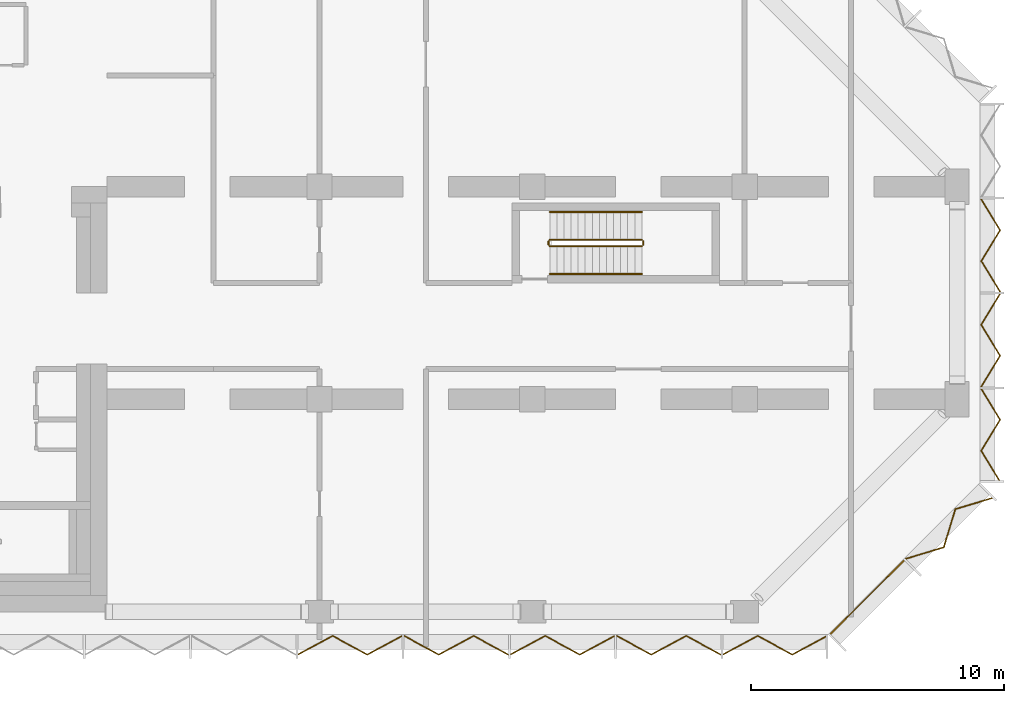
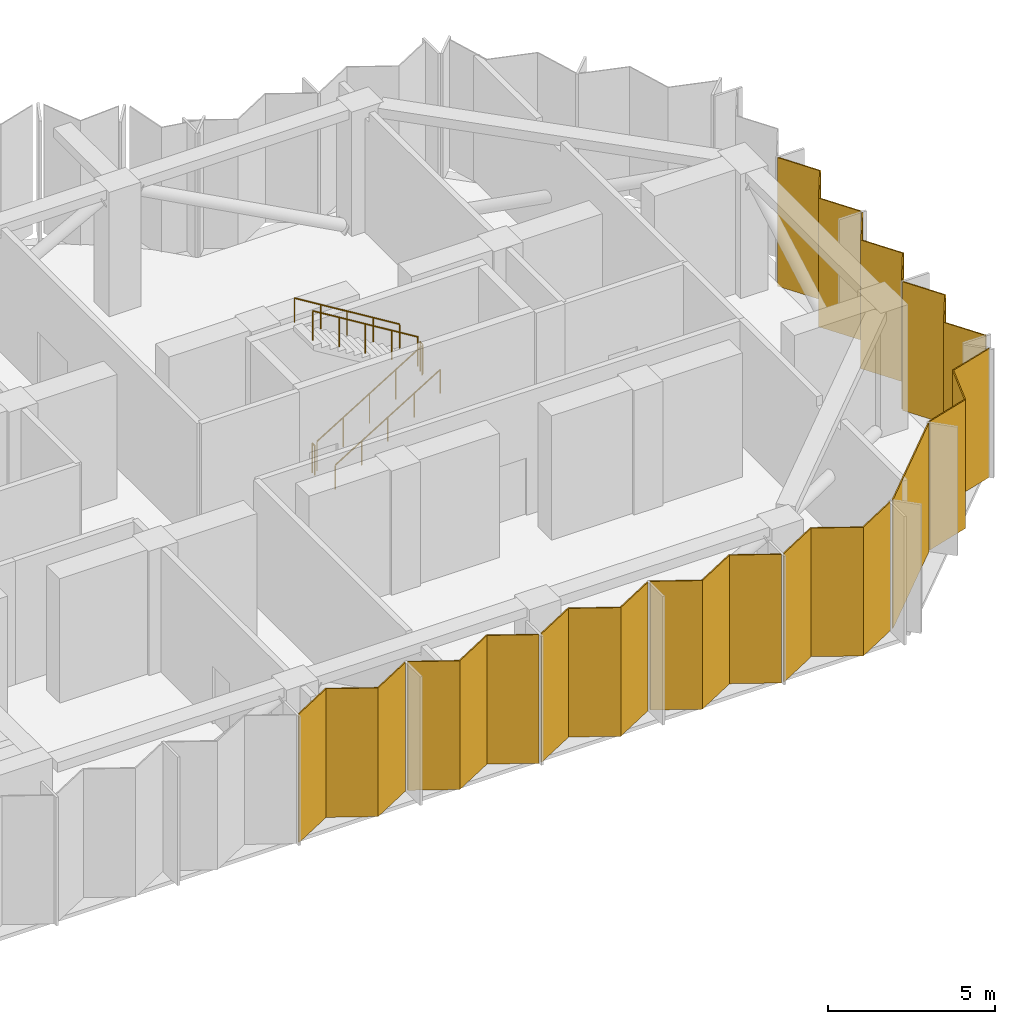
# One storey, part 12 of 13: 10 coverings, 6 railings, 3 elements without a shape of their own.
"""IFC4 building model written with IfcOpenShell, lengths in metres."""

from ifc_helpers import new_model, si_unit, direction, frame, origin, origin_2d, place, context, subcontext, project, spatial, polyline, circle, outline, extrude, material, layer, layer_set, type_object, element, aggregate, save


model = new_model("IFC4")

# Units and contexts
model_context = context("Model", 3, precision=1e-05, world=origin(), true_north=direction((0.0, 1.0)))
body_context = subcontext(model_context, "Body", "Model", "MODEL_VIEW")
ifc_project = project(units=[si_unit("LENGTHUNIT", "METRE"), si_unit("AREAUNIT", "SQUARE_METRE"), si_unit("VOLUMEUNIT", "CUBIC_METRE"), si_unit("PLANEANGLEUNIT", "RADIAN"), si_unit("MASSUNIT", "GRAM", prefix="KILO")], contexts=[model_context])

# Site, building, storey
site_placement = place(None, origin())
site = spatial("IfcSite", under=ifc_project, at=site_placement, CompositionType="ELEMENT")
building_placement = place(site_placement, origin())
building = spatial("IfcBuilding", under=site, at=building_placement, Name="Brevane Broadcast Tower", CompositionType="ELEMENT")
storey_placement = place(building_placement, frame((0.0, 0.0, 162.0)))
storey = spatial("IfcBuildingStorey", under=building, at=storey_placement, Name="L40", CompositionType="ELEMENT", Elevation=162.0)

# Curtain wall, coverings
ifc_material_1 = material(Name="Aluminium 6063-T6 bronze anodised", Category="aluminium")
curtain_wall_type = type_object("IfcCurtainWallType", Name="CW-3 curtain wall", PredefinedType="NOTDEFINED", material=ifc_material_1)
curtain_wall_1_placement = place(storey_placement, origin())
curtain_wall_1 = element("IfcCurtainWall", 1, at=curtain_wall_1_placement, inside=storey, type_object=curtain_wall_type, Name="CW-3 refuge louvre unit L40 south face", PredefinedType="NOTDEFINED")
ifc_material_2 = material(Name="Aluminium bronze anodised cladding", Category="aluminium")
ifc_layer = layer(ifc_material_2, 0.050048828125)
ifc_layer_set = layer_set([ifc_layer], Name="CW refuge spandrel 50")
covering_type = type_object("IfcCoveringType", Name="CW refuge spandrel 50", PredefinedType="CLADDING", material=ifc_layer_set)
covering_1_placement = place(storey_placement, frame((0.0, 0.0, -0.159912109375)))
covering_1 = element("IfcCovering", 2, at=covering_1_placement, type_object=covering_type, Name="Refuge cladding panel", PredefinedType="CLADDING", context=body_context, shape_type="SweptSolid", body=[
    extrude(outline(polyline([(32.739990234375, -1.671630859375), (32.739990234375, -1.717041015625), (34.11328125, -0.97265625), (35.48681640625, -1.717041015625), (36.860107421875, -0.97265625), (36.860107421875, -0.92724609375), (35.48681640625, -1.671630859375), (34.11328125, -0.92724609375), (32.739990234375, -1.671630859375)])), origin(), (0.0, 0.0, 1.0), 4.7099609375),
])
covering_2_placement = place(storey_placement, frame((0.0, 0.0, -0.159912109375)))
covering_2 = element("IfcCovering", 3, at=covering_2_placement, type_object=covering_type, Name="Refuge cladding panel", PredefinedType="CLADDING", context=body_context, shape_type="SweptSolid", body=[
    extrude(outline(polyline([(36.93994140625, -0.92724609375), (36.93994140625, -0.97265625), (38.313232421875, -1.717041015625), (39.686767578125, -0.97265625), (41.06005859375, -1.717041015625), (41.06005859375, -1.671630859375), (39.686767578125, -0.92724609375), (38.313232421875, -1.671630859375), (36.93994140625, -0.92724609375)])), origin(), (0.0, 0.0, 1.0), 4.7099609375),
])
covering_3_placement = place(storey_placement, frame((0.0, 0.0, -0.159912109375)))
covering_3 = element("IfcCovering", 4, at=covering_3_placement, type_object=covering_type, Name="Refuge cladding panel", PredefinedType="CLADDING", context=body_context, shape_type="SweptSolid", body=[
    extrude(outline(polyline([(41.139892578125, -1.671630859375), (41.139892578125, -1.717041015625), (42.51318359375, -0.97265625), (43.88671875, -1.717041015625), (45.260009765625, -0.97265625), (45.260009765625, -0.92724609375), (43.88671875, -1.671630859375), (42.51318359375, -0.92724609375), (41.139892578125, -1.671630859375)])), origin(), (0.0, 0.0, 1.0), 4.7099609375),
])
covering_4_placement = place(storey_placement, frame((0.0, 0.0, -0.159912109375)))
covering_4 = element("IfcCovering", 5, at=covering_4_placement, type_object=covering_type, Name="Refuge cladding panel", PredefinedType="CLADDING", context=body_context, shape_type="SweptSolid", body=[
    extrude(outline(polyline([(45.340087890625, -0.92724609375), (45.340087890625, -0.97265625), (46.71337890625, -1.717041015625), (48.086669921875, -0.97265625), (49.4599609375, -1.717041015625), (49.4599609375, -1.671630859375), (48.086669921875, -0.92724609375), (46.71337890625, -1.671630859375), (45.340087890625, -0.92724609375)])), origin(), (0.0, 0.0, 1.0), 4.7099609375),
])
covering_5_placement = place(storey_placement, frame((0.0, 0.0, -0.159912109375)))
covering_5 = element("IfcCovering", 6, at=covering_5_placement, type_object=covering_type, Name="Refuge cladding panel", PredefinedType="CLADDING", context=body_context, shape_type="SweptSolid", body=[
    extrude(outline(polyline([(49.5400390625, -1.671630859375), (49.5400390625, -1.717041015625), (50.913330078125, -0.97265625), (52.28662109375, -1.717041015625), (53.659912109375, -0.97265625), (53.659912109375, -0.92724609375), (52.28662109375, -1.671630859375), (50.913330078125, -0.92724609375), (49.5400390625, -1.671630859375)])), origin(), (0.0, 0.0, 1.0), 4.7099609375),
])
aggregate(curtain_wall_1, [covering_1, covering_2, covering_3, covering_4, covering_5])

curtain_wall_2_placement = place(storey_placement, origin())
curtain_wall_2 = element("IfcCurtainWall", 7, at=curtain_wall_2_placement, inside=storey, type_object=curtain_wall_type, Name="CW-3 refuge louvre unit L40 south-east chamfer", PredefinedType="NOTDEFINED")
covering_6_placement = place(storey_placement, frame((0.0, 0.0, -0.159912109375)))
covering_6 = element("IfcCovering", 8, at=covering_6_placement, type_object=covering_type, Name="Refuge cladding panel", PredefinedType="CLADDING", context=body_context, shape_type="SweptSolid", body=[
    extrude(outline(polyline([(53.74951171875, -0.892822265625), (56.69287109375, 2.050537109375), (56.72119140625, 2.022216796875), (53.77783203125, -0.921142578125), (53.74951171875, -0.892822265625)])), origin(), (0.0, 0.0, 1.0), 4.7099609375),
])
covering_7_placement = place(storey_placement, frame((0.0, 0.0, -0.159912109375)))
covering_7 = element("IfcCovering", 9, at=covering_7_placement, type_object=covering_type, Name="Refuge cladding panel", PredefinedType="CLADDING", context=body_context, shape_type="SweptSolid", body=[
    extrude(outline(polyline([(56.74755859375, 2.10888671875), (56.77978515625, 2.076904296875), (58.287109375, 2.53173828125), (58.741943359375, 4.039306640625), (60.24951171875, 4.493896484375), (60.21728515625, 4.52587890625), (58.7099609375, 4.0712890625), (58.255126953125, 2.563720703125), (56.74755859375, 2.10888671875)])), origin(), (0.0, 0.0, 1.0), 4.7099609375),
])
aggregate(curtain_wall_2, [covering_6, covering_7])

curtain_wall_3_placement = place(storey_placement, origin())
curtain_wall_3 = element("IfcCurtainWall", 10, at=curtain_wall_3_placement, inside=storey, type_object=curtain_wall_type, Name="CW-3 refuge louvre unit L40 east end", PredefinedType="NOTDEFINED")
covering_8_placement = place(storey_placement, frame((0.0, 0.0, -0.159912109375)))
covering_8 = element("IfcCovering", 11, at=covering_8_placement, type_object=covering_type, Name="Refuge cladding panel", PredefinedType="CLADDING", context=body_context, shape_type="SweptSolid", body=[
    extrude(outline(polyline([(60.470947265625, 5.139892578125), (60.517822265625, 5.139892578125), (59.7734375, 6.36328125), (60.517822265625, 7.586669921875), (59.7734375, 8.81005859375), (59.7265625, 8.81005859375), (60.470947265625, 7.586669921875), (59.7265625, 6.36328125), (60.470947265625, 5.139892578125)])), origin(), (0.0, 0.0, 1.0), 4.7099609375),
])
covering_9_placement = place(storey_placement, frame((0.0, 0.0, -0.159912109375)))
covering_9 = element("IfcCovering", 12, at=covering_9_placement, type_object=covering_type, Name="Refuge cladding panel", PredefinedType="CLADDING", context=body_context, shape_type="SweptSolid", body=[
    extrude(outline(polyline([(59.7265625, 8.889892578125), (59.7734375, 8.889892578125), (60.517822265625, 10.11328125), (59.7734375, 11.336669921875), (60.517822265625, 12.56005859375), (60.470947265625, 12.56005859375), (59.7265625, 11.336669921875), (60.470947265625, 10.11328125), (59.7265625, 8.889892578125)])), origin(), (0.0, 0.0, 1.0), 4.7099609375),
])
covering_10_placement = place(storey_placement, frame((0.0, 0.0, -0.159912109375)))
covering_10 = element("IfcCovering", 13, at=covering_10_placement, type_object=covering_type, Name="Refuge cladding panel", PredefinedType="CLADDING", context=body_context, shape_type="SweptSolid", body=[
    extrude(outline(polyline([(60.470947265625, 12.639892578125), (60.517822265625, 12.639892578125), (59.7734375, 13.86328125), (60.517822265625, 15.086669921875), (59.7734375, 16.31005859375), (59.7265625, 16.31005859375), (60.470947265625, 15.086669921875), (59.7265625, 13.86328125), (60.470947265625, 12.639892578125)])), origin(), (0.0, 0.0, 1.0), 4.7099609375),
])
aggregate(curtain_wall_3, [covering_8, covering_9, covering_10])

# Railings
ifc_material_3 = material(Name="Steel S355", Category="steel")
railing_type_1 = type_object("IfcRailingType", Name="Exit stair guard", PredefinedType="GUARDRAIL", material=ifc_material_3)
railing_1_placement = place(storey_placement, frame((42.699951171875, 14.449951171875, 0.17138671875)))
element("IfcRailing", 14, at=railing_1_placement, inside=storey, type_object=railing_type_1, Name="L40 ST-4 stair guard 1", PredefinedType="GUARDRAIL", context=body_context, shape_type="SweptSolid", body=[
    extrude(circle(Radius=0.02392578125, at=origin_2d()), frame((0.0, 0.0, 1.076171875), z_axis=(0.852865859571, 0.0, 0.52213008492), x_axis=(0.0, 1.0, 0.0)), (0.0, 0.0, 1.0), 4.26806640625),
    extrude(circle(Radius=0.02099609375, at=origin_2d()), origin(), (0.0, 0.0, 1.0), 1.052001953125),
    extrude(circle(Radius=0.02099609375, at=origin_2d()), frame((0.91015625, 0.0, 0.55712890625)), (0.0, 0.0, 1.0), 1.052001953125),
    extrude(circle(Radius=0.02099609375, at=origin_2d()), frame((1.820068359375, 0.0, 1.1142578125)), (0.0, 0.0, 1.0), 1.052001953125),
    extrude(circle(Radius=0.02099609375, at=origin_2d()), frame((2.72998046875, 0.0, 1.67138671875)), (0.0, 0.0, 1.0), 1.052001953125),
    extrude(circle(Radius=0.02099609375, at=origin_2d()), frame((3.64013671875, 0.0, 2.228515625)), (0.0, 0.0, 1.0), 1.052001953125),
])
railing_2_placement = place(storey_placement, frame((46.389892578125, 14.5, 2.39990234375)))
element("IfcRailing", 15, at=railing_2_placement, inside=storey, type_object=railing_type_1, Name="L40 ST-4 stair guard 2", PredefinedType="GUARDRAIL", context=body_context, shape_type="SweptSolid", body=[
    extrude(circle(Radius=0.02392578125, at=origin_2d()), frame((0.0, 0.0, 1.076171875), z_axis=(0.0, 1.0, 0.0), x_axis=(-1.0, 0.0, 0.0)), (0.0, 0.0, 1.0), 0.14990234375),
    extrude(circle(Radius=0.02099609375, at=origin_2d()), origin(), (0.0, 0.0, 1.0), 1.052001953125),
    extrude(circle(Radius=0.02099609375, at=origin_2d()), frame((0.0, 0.14990234375, 0.0)), (0.0, 0.0, 1.0), 1.052001953125),
])
railing_3_placement = place(storey_placement, frame((46.340087890625, 14.699951171875, 2.571533203125)))
element("IfcRailing", 16, at=railing_3_placement, inside=storey, type_object=railing_type_1, Name="L40 ST-4 stair guard 3", PredefinedType="GUARDRAIL", context=body_context, shape_type="SweptSolid", body=[
    extrude(circle(Radius=0.02392578125, at=origin_2d()), frame((0.0, 0.0, 1.076171875), z_axis=(-0.852865859571, 0.0, 0.52213008492), x_axis=(0.0, -1.0, 0.0)), (0.0, 0.0, 1.0), 4.26806640625),
    extrude(circle(Radius=0.02099609375, at=origin_2d()), origin(), (0.0, 0.0, 1.0), 1.052001953125),
    extrude(circle(Radius=0.02099609375, at=origin_2d()), frame((-0.91015625, 0.0, 0.55712890625)), (0.0, 0.0, 1.0), 1.052001953125),
    extrude(circle(Radius=0.02099609375, at=origin_2d()), frame((-1.820068359375, 0.0, 1.1142578125)), (0.0, 0.0, 1.0), 1.052001953125),
    extrude(circle(Radius=0.02099609375, at=origin_2d()), frame((-2.72998046875, 0.0, 1.67138671875)), (0.0, 0.0, 1.0), 1.052001953125),
    extrude(circle(Radius=0.02099609375, at=origin_2d()), frame((-3.64013671875, 0.0, 2.228515625)), (0.0, 0.0, 1.0), 1.052001953125),
])
railing_4_placement = place(storey_placement, frame((42.64990234375, 14.5, 0.0)))
element("IfcRailing", 17, at=railing_4_placement, inside=storey, type_object=railing_type_1, Name="L40 ST-4 stair guard 4", PredefinedType="GUARDRAIL", context=body_context, shape_type="SweptSolid", body=[
    extrude(circle(Radius=0.02392578125, at=origin_2d()), frame((0.0, 0.0, 1.076171875), z_axis=(0.0, 1.0, 0.0), x_axis=(-1.0, 0.0, 0.0)), (0.0, 0.0, 1.0), 0.14990234375),
    extrude(circle(Radius=0.02099609375, at=origin_2d()), origin(), (0.0, 0.0, 1.0), 1.052001953125),
    extrude(circle(Radius=0.02099609375, at=origin_2d()), frame((0.0, 0.14990234375, 0.0)), (0.0, 0.0, 1.0), 1.052001953125),
])
railing_type_2 = type_object("IfcRailingType", Name="Exit stair handrail", PredefinedType="HANDRAIL", material=ifc_material_3)
railing_5_placement = place(storey_placement, frame((42.699951171875, 13.35009765625, 0.17138671875)))
element("IfcRailing", 18, at=railing_5_placement, inside=storey, type_object=railing_type_2, Name="L40 ST-4 stair handrail 1", PredefinedType="HANDRAIL", context=body_context, shape_type="SweptSolid", body=[
    extrude(circle(Radius=0.02392578125, at=origin_2d()), frame((0.0, 0.0, 0.8759765625), z_axis=(0.852865859571, 0.0, 0.52213008492), x_axis=(0.0, 1.0, 0.0)), (0.0, 0.0, 1.0), 4.26806640625),
    extrude(circle(Radius=0.02099609375, at=origin_2d()), origin(), (0.0, 0.0, 1.0), 0.851806640625),
    extrude(circle(Radius=0.02099609375, at=origin_2d()), frame((0.91015625, 0.0, 0.55712890625)), (0.0, 0.0, 1.0), 0.851806640625),
    extrude(circle(Radius=0.02099609375, at=origin_2d()), frame((1.820068359375, 0.0, 1.1142578125)), (0.0, 0.0, 1.0), 0.851806640625),
    extrude(circle(Radius=0.02099609375, at=origin_2d()), frame((2.72998046875, 0.0, 1.67138671875)), (0.0, 0.0, 1.0), 0.851806640625),
    extrude(circle(Radius=0.02099609375, at=origin_2d()), frame((3.64013671875, 0.0, 2.228515625)), (0.0, 0.0, 1.0), 0.851806640625),
])
railing_6_placement = place(storey_placement, frame((46.340087890625, 15.800048828125, 2.571533203125)))
element("IfcRailing", 19, at=railing_6_placement, inside=storey, type_object=railing_type_2, Name="L40 ST-4 stair handrail 2", PredefinedType="HANDRAIL", context=body_context, shape_type="SweptSolid", body=[
    extrude(circle(Radius=0.02392578125, at=origin_2d()), frame((0.0, 0.0, 0.8759765625), z_axis=(-0.852865859571, 0.0, 0.52213008492), x_axis=(0.0, -1.0, 0.0)), (0.0, 0.0, 1.0), 4.26806640625),
    extrude(circle(Radius=0.02099609375, at=origin_2d()), origin(), (0.0, 0.0, 1.0), 0.851806640625),
    extrude(circle(Radius=0.02099609375, at=origin_2d()), frame((-0.91015625, 0.0, 0.55712890625)), (0.0, 0.0, 1.0), 0.851806640625),
    extrude(circle(Radius=0.02099609375, at=origin_2d()), frame((-1.820068359375, 0.0, 1.1142578125)), (0.0, 0.0, 1.0), 0.851806640625),
    extrude(circle(Radius=0.02099609375, at=origin_2d()), frame((-2.72998046875, 0.0, 1.67138671875)), (0.0, 0.0, 1.0), 0.851806640625),
    extrude(circle(Radius=0.02099609375, at=origin_2d()), frame((-3.64013671875, 0.0, 2.228515625)), (0.0, 0.0, 1.0), 0.851806640625),
])

save(model, "model.ifc")
